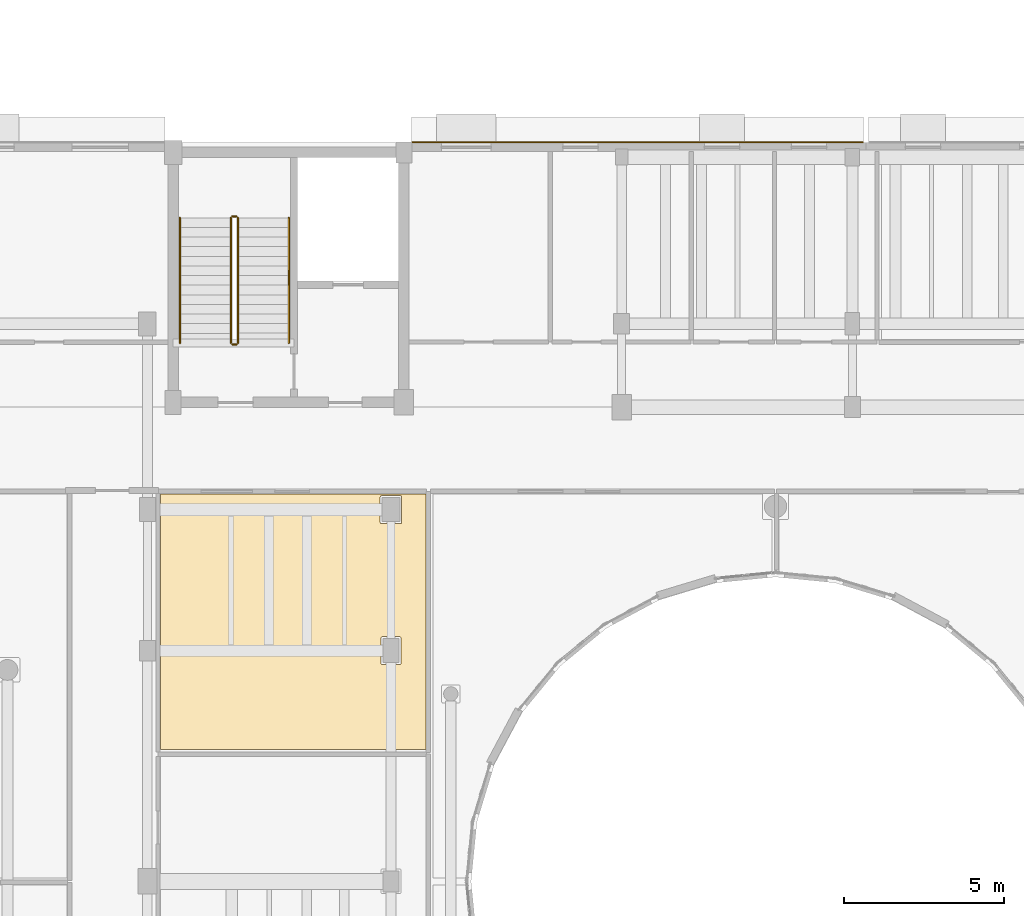
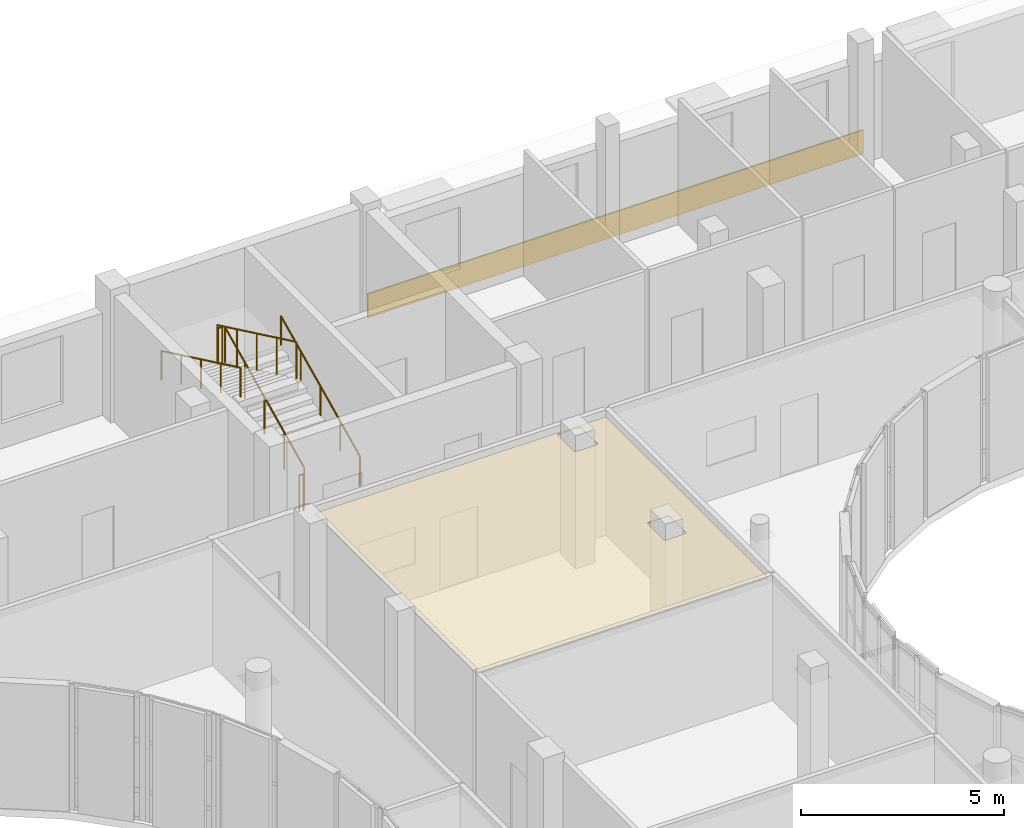
# One storey, part 100 of 105: 6 railings, 2 coverings.
"""IFC4 building model written with IfcOpenShell, lengths in metres."""

from ifc_helpers import new_model, si_unit, direction, frame, origin, origin_2d, place, context, subcontext, project, spatial, polyline, rectangle, circle, outline, extrude, material, layer, layer_set, type_object, element, save


model = new_model("IFC4")

# Units and contexts
model_context = context("Model", 3, precision=1e-05, world=origin(), true_north=direction((0.0, 1.0)))
body_context = subcontext(model_context, "Body", "Model", "MODEL_VIEW")
ifc_project = project(units=[si_unit("LENGTHUNIT", "METRE"), si_unit("AREAUNIT", "SQUARE_METRE"), si_unit("VOLUMEUNIT", "CUBIC_METRE"), si_unit("PLANEANGLEUNIT", "RADIAN"), si_unit("MASSUNIT", "GRAM", prefix="KILO")], contexts=[model_context])

# Site, building, storey
site_placement = place(None, origin())
site = spatial("IfcSite", under=ifc_project, at=site_placement, CompositionType="ELEMENT")
building_placement = place(site_placement, origin())
building = spatial("IfcBuilding", under=site, at=building_placement, Name="Kelanivale Promenade Academy", CompositionType="ELEMENT")
storey_placement = place(building_placement, frame((0.0, 0.0, 4.199951171875)))
storey = spatial("IfcBuildingStorey", under=building, at=storey_placement, Name="L01", CompositionType="ELEMENT", Elevation=4.199951171875)

# Coverings
ifc_material_1 = material(Name="Warm ivory Art Deco stucco frieze band 40 mm", Category="masonry")
ifc_layer_1 = layer(ifc_material_1, 0.0400390625)
ifc_layer_set_1 = layer_set([ifc_layer_1], Name="Warm ivory Art Deco stucco frieze band 40 mm")
covering_type_1 = type_object("IfcCoveringType", Name="COV-CLD2 Warm ivory Art Deco stucco frieze ba", PredefinedType="CLADDING", material=ifc_layer_set_1)
covering_1_placement = place(storey_placement, frame((94.493896484375, 79.864990234375, 0.06005859375), z_axis=(0.0, 0.0, 1.0), x_axis=(-1.0, 0.0, 0.0)))
element("IfcCovering", 1, at=covering_1_placement, inside=storey, type_object=covering_type_1, Name="Art Deco ivory stucco sill frieze band", PredefinedType="CLADDING", context=body_context, shape_type="SweptSolid", body=[
    extrude(rectangle(XDim=14.097900390625, YDim=0.0400390625, at=origin_2d()), origin(), (0.0, 0.0, 1.0), 0.719970703125),
])
ifc_material_2 = material(Name="Acoustic mineral-fibre ceiling tile 25 mm", Category="gypsum")
ifc_layer_2 = layer(ifc_material_2, 0.02490234375)
ifc_layer_set_2 = layer_set([ifc_layer_2], Name="Acoustic mineral-fibre ceiling tile 25 mm")
covering_type_2 = type_object("IfcCoveringType", Name="COV-CLG1 Acoustic mineral-fibre ceiling tile ", PredefinedType="CEILING", material=ifc_layer_set_2)
covering_2_placement = place(storey_placement, frame((0.0, 0.0, 3.550048828125)))
element("IfcCovering", 2, at=covering_2_placement, inside=storey, type_object=covering_type_2, Name="Geography Classroom acoustic suspended ceiling", PredefinedType="CEILING", context=body_context, shape_type="SweptSolid", body=[
    extrude(outline(polyline([(79.610107421875, 68.889892578125), (79.610107421875, 60.909912109375), (87.889892578125, 60.909912109375), (87.889892578125, 68.889892578125), (79.610107421875, 68.889892578125)]), holes=[polyline([(87.135009765625, 68.0048828125), (87.135009765625, 68.0009765625), (87.134033203125, 67.9970703125), (87.133056640625, 67.992919921875), (87.132080078125, 67.989990234375), (87.1298828125, 67.986083984375), (87.1279296875, 67.98291015625), (87.1259765625, 67.97998046875), (87.123046875, 67.97705078125), (87.1201171875, 67.97412109375), (87.116943359375, 67.971923828125), (87.114013671875, 67.969970703125), (87.110107421875, 67.968017578125), (87.10693359375, 67.967041015625), (87.10302734375, 67.966064453125), (87.09912109375, 67.965087890625), (87.094970703125, 67.965087890625), (86.5048828125, 67.965087890625), (86.5009765625, 67.965087890625), (86.4970703125, 67.966064453125), (86.492919921875, 67.967041015625), (86.489990234375, 67.968017578125), (86.486083984375, 67.969970703125), (86.48291015625, 67.971923828125), (86.47998046875, 67.97412109375), (86.47705078125, 67.97705078125), (86.47412109375, 67.97998046875), (86.471923828125, 67.98291015625), (86.469970703125, 67.986083984375), (86.468017578125, 67.989990234375), (86.467041015625, 67.992919921875), (86.466064453125, 67.9970703125), (86.465087890625, 68.0009765625), (86.465087890625, 68.0048828125), (86.465087890625, 68.794921875), (86.465087890625, 68.799072265625), (86.466064453125, 68.802978515625), (86.467041015625, 68.806884765625), (86.468017578125, 68.81005859375), (86.469970703125, 68.81396484375), (86.471923828125, 68.81689453125), (86.47412109375, 68.820068359375), (86.47705078125, 68.822998046875), (86.47998046875, 68.825927734375), (86.48291015625, 68.827880859375), (86.486083984375, 68.830078125), (86.489990234375, 68.83203125), (86.492919921875, 68.8330078125), (86.4970703125, 68.833984375), (86.5009765625, 68.8349609375), (86.5048828125, 68.8349609375), (87.094970703125, 68.8349609375), (87.09912109375, 68.8349609375), (87.10302734375, 68.833984375), (87.10693359375, 68.8330078125), (87.110107421875, 68.83203125), (87.114013671875, 68.830078125), (87.116943359375, 68.827880859375), (87.1201171875, 68.825927734375), (87.123046875, 68.822998046875), (87.1259765625, 68.820068359375), (87.1279296875, 68.81689453125), (87.1298828125, 68.81396484375), (87.132080078125, 68.81005859375), (87.133056640625, 68.806884765625), (87.134033203125, 68.802978515625), (87.135009765625, 68.799072265625), (87.135009765625, 68.794921875), (87.135009765625, 68.0048828125)]), polyline([(87.110107421875, 63.60498046875), (87.110107421875, 63.60107421875), (87.10888671875, 63.596923828125), (87.10791015625, 63.593017578125), (87.10693359375, 63.590087890625), (87.10498046875, 63.5859375), (87.10302734375, 63.5830078125), (87.10107421875, 63.580078125), (87.097900390625, 63.576904296875), (87.094970703125, 63.573974609375), (87.092041015625, 63.572021484375), (87.089111328125, 63.570068359375), (87.0849609375, 63.568115234375), (87.08203125, 63.56689453125), (87.077880859375, 63.56591796875), (87.073974609375, 63.56494140625), (87.070068359375, 63.56494140625), (86.530029296875, 63.56494140625), (86.52587890625, 63.56494140625), (86.52197265625, 63.56591796875), (86.51806640625, 63.56689453125), (86.514892578125, 63.568115234375), (86.510986328125, 63.570068359375), (86.508056640625, 63.572021484375), (86.5048828125, 63.573974609375), (86.501953125, 63.576904296875), (86.4990234375, 63.580078125), (86.4970703125, 63.5830078125), (86.4951171875, 63.5859375), (86.492919921875, 63.590087890625), (86.491943359375, 63.593017578125), (86.490966796875, 63.596923828125), (86.489990234375, 63.60107421875), (86.489990234375, 63.60498046875), (86.489990234375, 64.39501953125), (86.489990234375, 64.39892578125), (86.490966796875, 64.403076171875), (86.491943359375, 64.406982421875), (86.492919921875, 64.409912109375), (86.4951171875, 64.4140625), (86.4970703125, 64.4169921875), (86.4990234375, 64.419921875), (86.501953125, 64.423095703125), (86.5048828125, 64.426025390625), (86.508056640625, 64.427978515625), (86.510986328125, 64.429931640625), (86.514892578125, 64.431884765625), (86.51806640625, 64.43310546875), (86.52197265625, 64.43408203125), (86.52587890625, 64.43505859375), (86.530029296875, 64.43505859375), (87.070068359375, 64.43505859375), (87.073974609375, 64.43505859375), (87.077880859375, 64.43408203125), (87.08203125, 64.43310546875), (87.0849609375, 64.431884765625), (87.089111328125, 64.429931640625), (87.092041015625, 64.427978515625), (87.094970703125, 64.426025390625), (87.097900390625, 64.423095703125), (87.10107421875, 64.419921875), (87.10302734375, 64.4169921875), (87.10498046875, 64.4140625), (87.10693359375, 64.409912109375), (87.10791015625, 64.406982421875), (87.10888671875, 64.403076171875), (87.110107421875, 64.39892578125), (87.110107421875, 64.39501953125), (87.110107421875, 63.60498046875)])]), origin(), (0.0, 0.0, 1.0), 0.02490234375),
])

# Railings
ifc_material_3 = material(Name="Brushed stainless steel grade 316", Category="steel")
railing_type_1 = type_object("IfcRailingType", Name="GR-01 Stair Guard 1100mm", PredefinedType="BALUSTRADE", material=ifc_material_3)
railing_1_placement = place(storey_placement, frame((82.02490234375, 73.60498046875, 0.142822265625)))
element("IfcRailing", 3, at=railing_1_placement, inside=storey, type_object=railing_type_1, Name="L01 ST-02 stair guard 1", PredefinedType="BALUSTRADE", context=body_context, shape_type="SweptSolid", body=[
    extrude(circle(Radius=0.02392578125, at=origin_2d()), frame((0.0, 0.0, 1.09619140625), z_axis=(0.0, 0.902853205547, 0.429948937937), x_axis=(-1.0, 0.0, 0.0)), (0.0, 0.0, 1.0), 4.319580078125),
    extrude(circle(Radius=0.02099609375, at=origin_2d()), origin(), (0.0, 0.0, 1.0), 1.072021484375),
    extrude(circle(Radius=0.02099609375, at=origin_2d()), frame((0.0, 0.97509765625, 0.46435546875)), (0.0, 0.0, 1.0), 1.072021484375),
    extrude(circle(Radius=0.02099609375, at=origin_2d()), frame((0.0, 1.949951171875, 0.9287109375)), (0.0, 0.0, 1.0), 1.072021484375),
    extrude(circle(Radius=0.02099609375, at=origin_2d()), frame((0.0, 2.9248046875, 1.392822265625)), (0.0, 0.0, 1.0), 1.072021484375),
    extrude(circle(Radius=0.02099609375, at=origin_2d()), frame((0.0, 3.89990234375, 1.857177734375)), (0.0, 0.0, 1.0), 1.072021484375),
])
railing_2_placement = place(storey_placement, frame((81.97509765625, 77.554931640625, 2.0)))
element("IfcRailing", 4, at=railing_2_placement, inside=storey, type_object=railing_type_1, Name="L01 ST-02 stair guard 2", PredefinedType="BALUSTRADE", context=body_context, shape_type="SweptSolid", body=[
    extrude(circle(Radius=0.02392578125, at=origin_2d()), frame((0.0, 0.0, 1.09619140625), z_axis=(-1.0, 0.0, 0.0), x_axis=(0.0, -1.0, 0.0)), (0.0, 0.0, 1.0), 0.1201171875),
    extrude(circle(Radius=0.02099609375, at=origin_2d()), origin(), (0.0, 0.0, 1.0), 1.072021484375),
    extrude(circle(Radius=0.02099609375, at=origin_2d()), frame((-0.1201171875, 0.0, 0.0)), (0.0, 0.0, 1.0), 1.072021484375),
])
railing_3_placement = place(storey_placement, frame((81.804931640625, 77.5048828125, 2.142822265625)))
element("IfcRailing", 5, at=railing_3_placement, inside=storey, type_object=railing_type_1, Name="L01 ST-02 stair guard 3", PredefinedType="BALUSTRADE", context=body_context, shape_type="SweptSolid", body=[
    extrude(circle(Radius=0.02392578125, at=origin_2d()), frame((0.0, 0.0, 1.09619140625), z_axis=(0.0, -0.902853205547, 0.429948937937), x_axis=(1.0, 0.0, 0.0)), (0.0, 0.0, 1.0), 4.319580078125),
    extrude(circle(Radius=0.02099609375, at=origin_2d()), origin(), (0.0, 0.0, 1.0), 1.072021484375),
    extrude(circle(Radius=0.02099609375, at=origin_2d()), frame((0.0, -0.97509765625, 0.46435546875)), (0.0, 0.0, 1.0), 1.072021484375),
    extrude(circle(Radius=0.02099609375, at=origin_2d()), frame((0.0, -1.949951171875, 0.9287109375)), (0.0, 0.0, 1.0), 1.072021484375),
    extrude(circle(Radius=0.02099609375, at=origin_2d()), frame((0.0, -2.9248046875, 1.392822265625)), (0.0, 0.0, 1.0), 1.072021484375),
    extrude(circle(Radius=0.02099609375, at=origin_2d()), frame((0.0, -3.89990234375, 1.857177734375)), (0.0, 0.0, 1.0), 1.072021484375),
])
railing_4_placement = place(storey_placement, frame((81.97509765625, 73.554931640625, 0.0)))
element("IfcRailing", 6, at=railing_4_placement, inside=storey, type_object=railing_type_1, Name="L01 ST-02 stair guard 4", PredefinedType="BALUSTRADE", context=body_context, shape_type="SweptSolid", body=[
    extrude(circle(Radius=0.02392578125, at=origin_2d()), frame((0.0, 0.0, 1.09619140625), z_axis=(-1.0, 0.0, 0.0), x_axis=(0.0, -1.0, 0.0)), (0.0, 0.0, 1.0), 0.1201171875),
    extrude(circle(Radius=0.02099609375, at=origin_2d()), origin(), (0.0, 0.0, 1.0), 1.072021484375),
    extrude(circle(Radius=0.02099609375, at=origin_2d()), frame((-0.1201171875, 0.0, 0.0)), (0.0, 0.0, 1.0), 1.072021484375),
])
railing_type_2 = type_object("IfcRailingType", Name="HR-01 Pitch Handrail 900mm", PredefinedType="HANDRAIL", material=ifc_material_3)
railing_5_placement = place(storey_placement, frame((83.614990234375, 73.60498046875, 0.142822265625)))
element("IfcRailing", 7, at=railing_5_placement, inside=storey, type_object=railing_type_2, Name="L01 ST-02 stair handrail 1", PredefinedType="HANDRAIL", context=body_context, shape_type="SweptSolid", body=[
    extrude(circle(Radius=0.02392578125, at=origin_2d()), frame((0.0, 0.0, 0.8759765625), z_axis=(0.0, 0.902853205547, 0.429948937937), x_axis=(-1.0, 0.0, 0.0)), (0.0, 0.0, 1.0), 4.319580078125),
    extrude(circle(Radius=0.02099609375, at=origin_2d()), origin(), (0.0, 0.0, 1.0), 0.851806640625),
    extrude(circle(Radius=0.02099609375, at=origin_2d()), frame((0.0, 0.97509765625, 0.46435546875)), (0.0, 0.0, 1.0), 0.851806640625),
    extrude(circle(Radius=0.02099609375, at=origin_2d()), frame((0.0, 1.949951171875, 0.9287109375)), (0.0, 0.0, 1.0), 0.851806640625),
    extrude(circle(Radius=0.02099609375, at=origin_2d()), frame((0.0, 2.9248046875, 1.392822265625)), (0.0, 0.0, 1.0), 0.851806640625),
    extrude(circle(Radius=0.02099609375, at=origin_2d()), frame((0.0, 3.89990234375, 1.857177734375)), (0.0, 0.0, 1.0), 0.851806640625),
])
railing_6_placement = place(storey_placement, frame((80.215087890625, 77.5048828125, 2.142822265625)))
element("IfcRailing", 8, at=railing_6_placement, inside=storey, type_object=railing_type_2, Name="L01 ST-02 stair handrail 2", PredefinedType="HANDRAIL", context=body_context, shape_type="SweptSolid", body=[
    extrude(circle(Radius=0.02392578125, at=origin_2d()), frame((0.0, 0.0, 0.8759765625), z_axis=(0.0, -0.902853205547, 0.429948937937), x_axis=(1.0, 0.0, 0.0)), (0.0, 0.0, 1.0), 4.319580078125),
    extrude(circle(Radius=0.02099609375, at=origin_2d()), origin(), (0.0, 0.0, 1.0), 0.851806640625),
    extrude(circle(Radius=0.02099609375, at=origin_2d()), frame((0.0, -0.97509765625, 0.46435546875)), (0.0, 0.0, 1.0), 0.851806640625),
    extrude(circle(Radius=0.02099609375, at=origin_2d()), frame((0.0, -1.949951171875, 0.9287109375)), (0.0, 0.0, 1.0), 0.851806640625),
    extrude(circle(Radius=0.02099609375, at=origin_2d()), frame((0.0, -2.9248046875, 1.392822265625)), (0.0, 0.0, 1.0), 0.851806640625),
    extrude(circle(Radius=0.02099609375, at=origin_2d()), frame((0.0, -3.89990234375, 1.857177734375)), (0.0, 0.0, 1.0), 0.851806640625),
])

save(model, "model.ifc")
